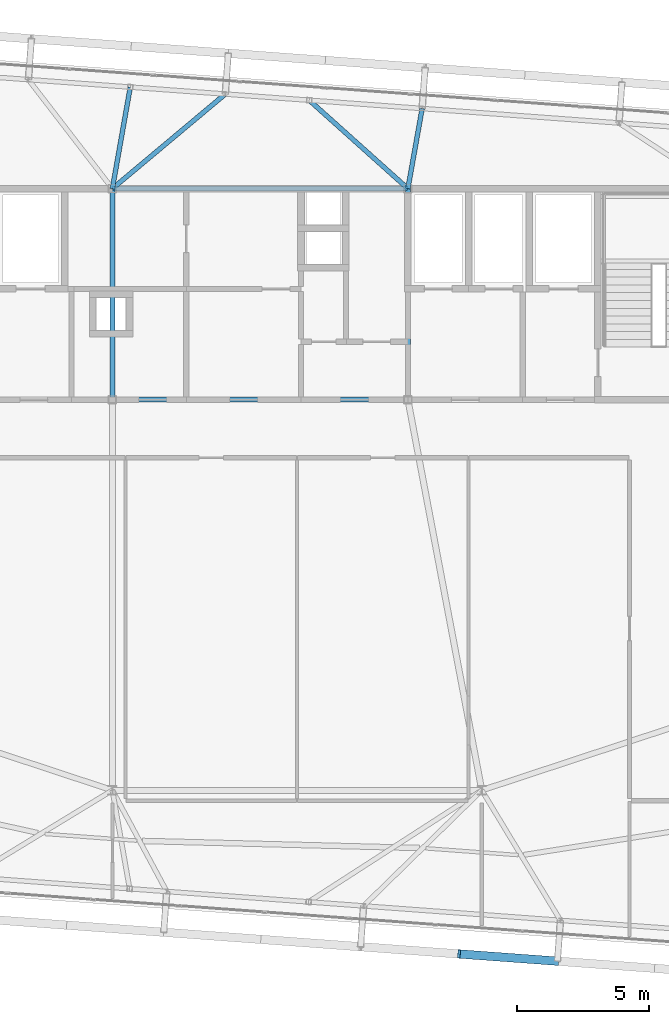
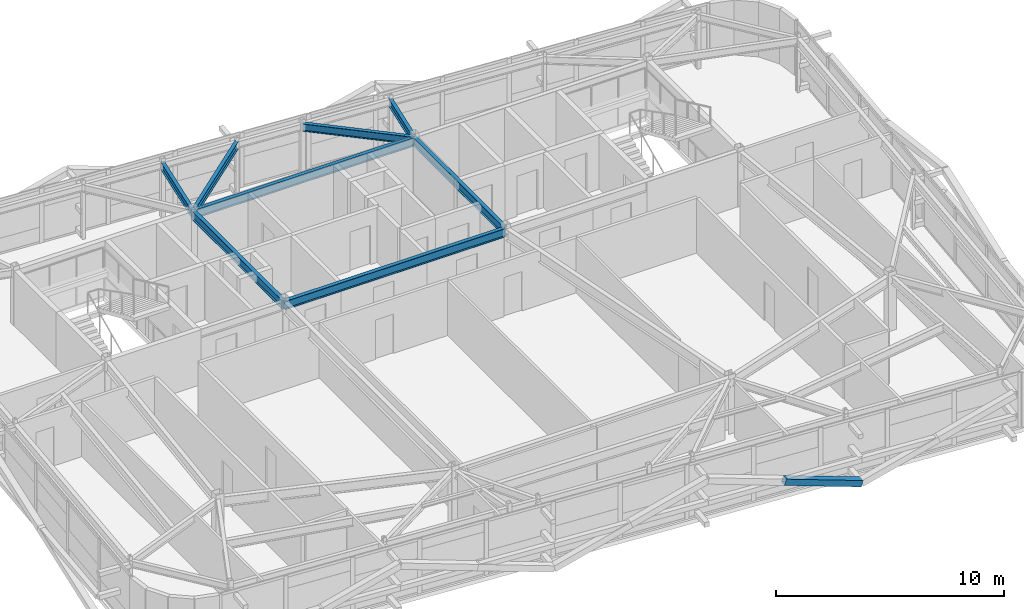
# One storey, part 18 of 42: 8 beams, 1 member.
"""IFC4 building model written with IfcOpenShell, lengths in metres."""

from ifc_helpers import new_model, si_unit, direction, frame, origin, origin_2d, place, context, subcontext, project, spatial, hollow_rectangle, i_section, extrude, source, transform, mapped, material, material_profile, profile_set, type_object, element, save


model = new_model("IFC4")

# Units and contexts
model_context = context("Model", 3, precision=1e-05, world=origin(), true_north=direction((0.0, 1.0)))
body_context = subcontext(model_context, "Body", "Model", "MODEL_VIEW")
ifc_project = project(units=[si_unit("LENGTHUNIT", "METRE"), si_unit("AREAUNIT", "SQUARE_METRE"), si_unit("VOLUMEUNIT", "CUBIC_METRE"), si_unit("PLANEANGLEUNIT", "RADIAN"), si_unit("MASSUNIT", "GRAM", prefix="KILO")], contexts=[model_context])

# Site, building, storey
site_placement = place(None, origin())
site = spatial("IfcSite", under=ifc_project, at=site_placement, CompositionType="ELEMENT")
building_placement = place(site_placement, origin())
building = spatial("IfcBuilding", under=site, at=building_placement, Name="Taldren Reach Tower", CompositionType="ELEMENT")
storey_placement = place(building_placement, frame((0.0, 0.0, 217.699951171875)))
storey = spatial("IfcBuildingStorey", under=building, at=storey_placement, Name="L66", CompositionType="ELEMENT", Elevation=217.699951171875)

# Beams
ifc_material_1 = material(Name="Steel Gr 350 (350PLUS)", Category="steel")
ifc_material_profile_1 = material_profile(ifc_material_1, i_section(OverallWidth=0.19091796875, OverallDepth=0.4599609375, WebThickness=0.010009765625, FlangeThickness=0.01611328125, at=origin_2d()), Name="460UB82.1")
ifc_profile_set_1 = profile_set([ifc_material_profile_1], Name="Steel Gr 350 (350PLUS)")
beam_type_1 = type_object("IfcBeamType", Name="BM-UB460A", PredefinedType="BEAM", material=ifc_profile_set_1)
shared_shape_1 = source(origin(), body_context, "Body", "SweptSolid", [
    extrude(i_section(OverallWidth=0.19091796875, OverallDepth=0.4599609375, WebThickness=0.010009765625, FlangeThickness=0.01611328125, at=origin_2d()), origin(), (0.0, 0.0, 1.0), 11.199951171875),
])
for number, where, z_axis, x_axis, name in (
    (1, (28.0, 24.0, 2.699951171875), (1.0, 0.0, 0.0), (0.0, 1.0, 0.0), "Core-spine girder L66-SP02"),
    (2, (28.0, 32.0, 2.699951171875), (1.0, 0.0, 0.0), (0.0, 1.0, 0.0), "Core-spine girder L66-SP05"),
):
    element("IfcBeam", number, at=place(storey_placement, frame(where, z_axis=z_axis, x_axis=x_axis)), inside=storey, type_object=beam_type_1, Name=name, PredefinedType="BEAM", context=body_context, shape_type="MappedRepresentation", body=[
        mapped(shared_shape_1, transform((0.0, 0.0, 0.0), scale=1.0)),
    ])
shared_shape_2 = source(origin(), body_context, "Body", "SweptSolid", [
    extrude(i_section(OverallWidth=0.19091796875, OverallDepth=0.4599609375, WebThickness=0.010009765625, FlangeThickness=0.01611328125, at=origin_2d()), origin(), (0.0, 0.0, 1.0), 8.0),
])
for number, where, z_axis, x_axis, name in (
    (3, (28.0, 24.0, 2.699951171875), (0.0, 1.0, 0.0), (-1.0, 0.0, 0.0), "Core-spine girder L66-SP07"),
    (4, (39.199951171875, 24.0, 2.699951171875), (0.0, 1.0, 0.0), (-1.0, 0.0, 0.0), "Core-spine girder L66-SP08"),
):
    element("IfcBeam", number, at=place(storey_placement, frame(where, z_axis=z_axis, x_axis=x_axis)), inside=storey, type_object=beam_type_1, Name=name, PredefinedType="BEAM", context=body_context, shape_type="MappedRepresentation", body=[
        mapped(shared_shape_2, transform((0.0, 0.0, 0.0), scale=1.0)),
    ])
ifc_material_profile_2 = material_profile(ifc_material_1, i_section(OverallWidth=0.177978515625, OverallDepth=0.406005859375, WebThickness=0.0078125, FlangeThickness=0.0126953125, at=origin_2d()), Name="410UB59.7")
ifc_profile_set_2 = profile_set([ifc_material_profile_2], Name="Steel Gr 350 (350PLUS)")
beam_type_2 = type_object("IfcBeamType", Name="BM-UB410", PredefinedType="BEAM", material=ifc_profile_set_2)
shared_shape_3 = source(origin(), body_context, "Body", "SweptSolid", [
    extrude(i_section(OverallWidth=0.177978515625, OverallDepth=0.406005859375, WebThickness=0.0078125, FlangeThickness=0.0126953125, at=origin_2d()), origin(), (0.0, 0.0, 1.0), 3.0830078125),
])
beam_1_placement = place(storey_placement, frame((39.199951171875, 32.0, 2.72705078125), z_axis=(0.17500945263, 0.984566753191, 0.0), x_axis=(-0.984566753191, 0.17500945263, 0.0)))
element("IfcBeam", 5, at=beam_1_placement, inside=storey, type_object=beam_type_2, Name="Primary floor girder B5-N4 L66", PredefinedType="BEAM", context=body_context, shape_type="MappedRepresentation", body=[
    mapped(shared_shape_3, transform((0.0, 0.0, 0.0), scale=1.0)),
])
shared_shape_4 = source(origin(), body_context, "Body", "SweptSolid", [
    extrude(i_section(OverallWidth=0.177978515625, OverallDepth=0.406005859375, WebThickness=0.0078125, FlangeThickness=0.0126953125, at=origin_2d()), origin(), (0.0, 0.0, 1.0), 5.02001953125),
])
beam_2_placement = place(storey_placement, frame((39.199951171875, 32.0, 2.72705078125), z_axis=(-0.744827782377, 0.667256753132, 0.0), x_axis=(-0.667256753132, -0.744827782377, 0.0)))
element("IfcBeam", 6, at=beam_2_placement, inside=storey, type_object=beam_type_2, Name="Primary floor girder B5-PJN2 L66", PredefinedType="BEAM", context=body_context, shape_type="MappedRepresentation", body=[
    mapped(shared_shape_4, transform((0.0, 0.0, 0.0), scale=1.0)),
])
shared_shape_5 = source(origin(), body_context, "Body", "SweptSolid", [
    extrude(i_section(OverallWidth=0.177978515625, OverallDepth=0.406005859375, WebThickness=0.0078125, FlangeThickness=0.0126953125, at=origin_2d()), origin(), (0.0, 0.0, 1.0), 5.58154296875),
])
beam_3_placement = place(storey_placement, frame((28.0, 32.0, 2.72705078125), z_axis=(0.766724126108, 0.641976724222, 0.0), x_axis=(-0.641976724222, 0.766724126108, 0.0)))
element("IfcBeam", 7, at=beam_3_placement, inside=storey, type_object=beam_type_2, Name="Primary floor girder B5-N3 L66", PredefinedType="BEAM", context=body_context, shape_type="MappedRepresentation", body=[
    mapped(shared_shape_5, transform((0.0, 0.0, 0.0), scale=1.0)),
])
shared_shape_6 = source(origin(), body_context, "Body", "SweptSolid", [
    extrude(i_section(OverallWidth=0.177978515625, OverallDepth=0.406005859375, WebThickness=0.0078125, FlangeThickness=0.0126953125, at=origin_2d()), origin(), (0.0, 0.0, 1.0), 3.9072265625),
])
beam_4_placement = place(storey_placement, frame((28.0, 32.0, 2.72705078125), z_axis=(0.173835238379, 0.984774750843, 0.0), x_axis=(-0.984774750843, 0.173835238379, 0.0)))
element("IfcBeam", 8, at=beam_4_placement, inside=storey, type_object=beam_type_2, Name="Primary floor girder B5-PJN1 L66", PredefinedType="BEAM", context=body_context, shape_type="MappedRepresentation", body=[
    mapped(shared_shape_6, transform((0.0, 0.0, 0.0), scale=1.0)),
])

# Member
ifc_material_2 = material(Name="Steel Gr 450 (C450L0)", Category="steel")
ifc_material_profile_3 = material_profile(ifc_material_2, hollow_rectangle(XDim=0.324951171875, YDim=0.324951171875, WallThickness=0.0126953125, at=origin_2d()), Name="325x325x12.7SHS")
ifc_profile_set_3 = profile_set([ifc_material_profile_3], Name="Steel Gr 450 (C450L0)")
member_type = type_object("IfcMemberType", Name="MB-BR324", PredefinedType="BRACE", material=ifc_profile_set_3)
shared_shape_7 = source(origin(), body_context, "Body", "SweptSolid", [
    extrude(hollow_rectangle(XDim=0.324951171875, YDim=0.324951171875, WallThickness=0.0126953125, at=origin_2d()), origin(), (0.0, 0.0, 1.0), 3.932373046875),
])
member_placement = place(storey_placement, frame((44.86669921875, 2.72314453125, 0.219970703125), z_axis=(-0.948511132845, 0.069657644394, 0.308989390507), x_axis=(-0.07324169103, -0.997314220642, 0.0)))
element("IfcMember", 9, at=member_placement, inside=storey, type_object=member_type, Name="Exoskeleton Diagrid Brace B5-S4 L66", PredefinedType="BRACE", context=body_context, shape_type="MappedRepresentation", body=[
    mapped(shared_shape_7, transform((0.0, 0.0, 0.0), scale=1.0)),
])

save(model, "model.ifc")
